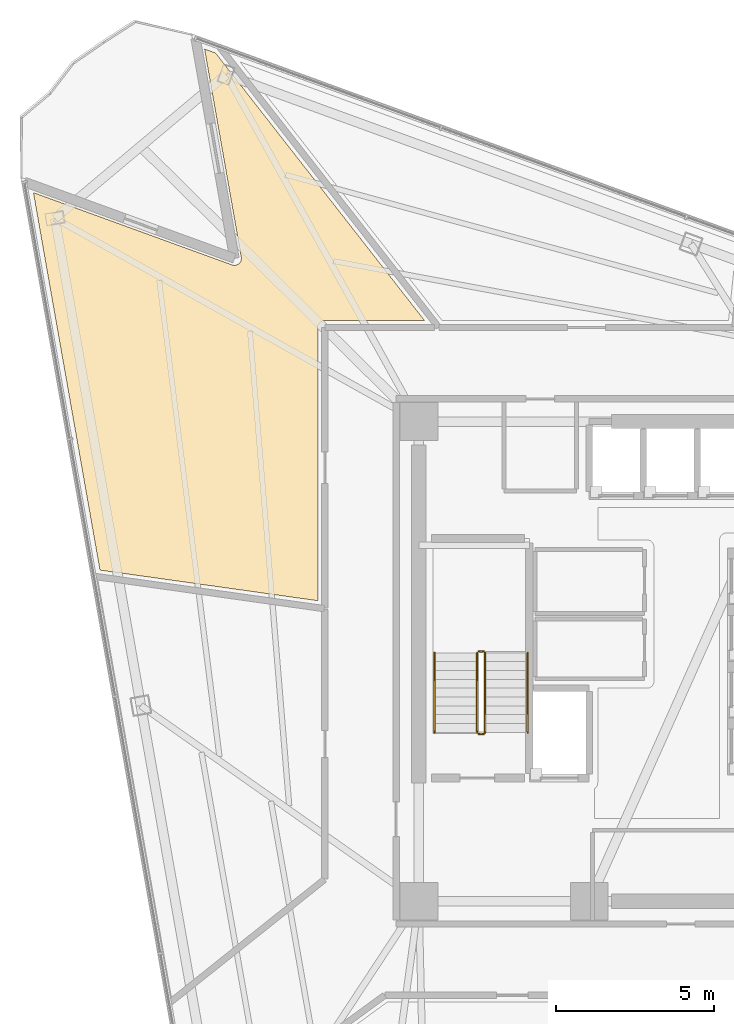
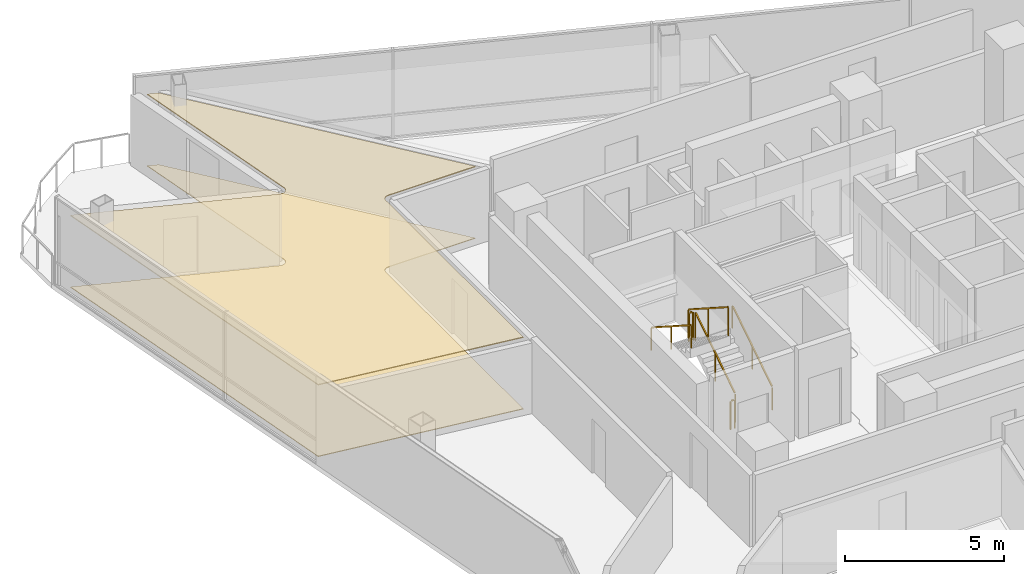
# One storey, part 14 of 16: 6 railings, 2 coverings.
"""IFC4 building model written with IfcOpenShell, lengths in metres."""

from ifc_helpers import new_model, si_unit, direction, frame, origin, origin_2d, place, context, subcontext, project, spatial, polyline, rectangle, outline, extrude, material, layer, layer_set, type_object, element, save


model = new_model("IFC4")

# Units and contexts
model_context = context("Model", 3, precision=1e-05, world=origin(), true_north=direction((0.0, 1.0)))
body_context = subcontext(model_context, "Body", "Model", "MODEL_VIEW")
ifc_project = project(units=[si_unit("LENGTHUNIT", "METRE"), si_unit("AREAUNIT", "SQUARE_METRE"), si_unit("VOLUMEUNIT", "CUBIC_METRE"), si_unit("PLANEANGLEUNIT", "RADIAN"), si_unit("MASSUNIT", "GRAM", prefix="KILO")], contexts=[model_context])

# Site, building, storey
site_placement = place(None, origin())
site = spatial("IfcSite", under=ifc_project, at=site_placement, CompositionType="ELEMENT")
building_placement = place(site_placement, origin())
building = spatial("IfcBuilding", under=site, at=building_placement, Name="Tharavind Bronze Gate", CompositionType="ELEMENT")
storey_placement = place(building_placement, frame((0.0, 0.0, 170.5)))
storey = spatial("IfcBuildingStorey", under=building, at=storey_placement, Name="L43", CompositionType="ELEMENT", Elevation=170.5)

# Coverings
ifc_material_1 = material(Name="Engineered Oak & Carpet Tile", Category="wood")
ifc_layer_1 = layer(ifc_material_1, 0.02490234375)
ifc_layer_set_1 = layer_set([ifc_layer_1], Name="Engineered Oak & Carpet Tile")
covering_type_1 = type_object("IfcCoveringType", Name="ENGINEERED TIMBER FLOORING", PredefinedType="FLOORING", material=ifc_layer_set_1)
covering_1_placement = place(storey_placement, origin())
element("IfcCovering", 1, at=covering_1_placement, inside=storey, type_object=covering_type_1, Name="L43-RM-03 floor finish", PredefinedType="FLOORING", context=body_context, shape_type="SweptSolid", body=[
    extrude(outline(polyline([(-19.004638671875, 2.89306640625), (-12.10009765625, 1.922607421875), (-12.10009765625, 10.579345703125), (-12.099609375, 10.590087890625), (-12.099609375, 10.5908203125), (-12.09765625, 10.6123046875), (-12.093505859375, 10.63330078125), (-12.087158203125, 10.654052734375), (-12.078857421875, 10.674072265625), (-12.068603515625, 10.693115234375), (-12.056640625, 10.7109375), (-12.04296875, 10.727783203125), (-12.027587890625, 10.742919921875), (-12.010986328125, 10.756591796875), (-11.9931640625, 10.768798828125), (-11.97412109375, 10.77880859375), (-11.9541015625, 10.787109375), (-11.933349609375, 10.79345703125), (-11.912353515625, 10.797607421875), (-11.890869140625, 10.7998046875), (-11.89013671875, 10.7998046875), (-11.87939453125, 10.800048828125), (-8.717041015625, 10.800048828125), (-15.341796875, 19.279541015625), (-15.690185546875, 19.40625), (-14.527099609375, 12.8095703125), (-14.525390625, 12.798828125), (-14.525390625, 12.798095703125), (-14.523681640625, 12.7763671875), (-14.5244140625, 12.75439453125), (-14.527099609375, 12.732666015625), (-14.531982421875, 12.711181640625), (-14.538818359375, 12.6904296875), (-14.5478515625, 12.67041015625), (-14.558837890625, 12.651611328125), (-14.571533203125, 12.6337890625), (-14.586181640625, 12.6171875), (-14.602294921875, 12.602294921875), (-14.61962890625, 12.589111328125), (-14.638427734375, 12.57763671875), (-14.658203125, 12.568115234375), (-14.6787109375, 12.560546875), (-14.699951171875, 12.55517578125), (-14.7216796875, 12.552001953125), (-14.74365234375, 12.55078125), (-14.765380859375, 12.552001953125), (-14.787109375, 12.55517578125), (-14.80859375, 12.560546875), (-14.80908203125, 12.560791015625), (-14.8193359375, 12.564208984375), (-21.114013671875, 14.855224609375), (-19.004638671875, 2.89306640625)])), origin(), (0.0, 0.0, 1.0), 0.02490234375),
])
ifc_material_2 = material(Name="Acoustic Gypsum Board", Category="gypsum")
ifc_layer_2 = layer(ifc_material_2, 0.030029296875)
ifc_layer_set_2 = layer_set([ifc_layer_2], Name="Acoustic Gypsum Board")
covering_type_2 = type_object("IfcCoveringType", Name="GYPSUM SUSPENDED CEILING", PredefinedType="CEILING", material=ifc_layer_set_2)
covering_2_placement = place(storey_placement, frame((0.0, 0.0, 2.75)))
element("IfcCovering", 2, at=covering_2_placement, inside=storey, type_object=covering_type_2, Name="L43-RM-03 suspended ceiling", PredefinedType="CEILING", context=body_context, shape_type="SweptSolid", body=[
    extrude(outline(polyline([(-19.004638671875, 2.89306640625), (-12.10009765625, 1.922607421875), (-12.10009765625, 10.579345703125), (-12.099609375, 10.590087890625), (-12.099609375, 10.5908203125), (-12.09765625, 10.6123046875), (-12.093505859375, 10.63330078125), (-12.087158203125, 10.654052734375), (-12.078857421875, 10.674072265625), (-12.068603515625, 10.693115234375), (-12.056640625, 10.7109375), (-12.04296875, 10.727783203125), (-12.027587890625, 10.742919921875), (-12.010986328125, 10.756591796875), (-11.9931640625, 10.768798828125), (-11.97412109375, 10.77880859375), (-11.9541015625, 10.787109375), (-11.933349609375, 10.79345703125), (-11.912353515625, 10.797607421875), (-11.890869140625, 10.7998046875), (-11.89013671875, 10.7998046875), (-11.87939453125, 10.800048828125), (-8.717041015625, 10.800048828125), (-15.341796875, 19.279541015625), (-15.690185546875, 19.40625), (-14.527099609375, 12.8095703125), (-14.525390625, 12.798828125), (-14.525390625, 12.798095703125), (-14.523681640625, 12.7763671875), (-14.5244140625, 12.75439453125), (-14.527099609375, 12.732666015625), (-14.531982421875, 12.711181640625), (-14.538818359375, 12.6904296875), (-14.5478515625, 12.67041015625), (-14.558837890625, 12.651611328125), (-14.571533203125, 12.6337890625), (-14.586181640625, 12.6171875), (-14.602294921875, 12.602294921875), (-14.61962890625, 12.589111328125), (-14.638427734375, 12.57763671875), (-14.658203125, 12.568115234375), (-14.6787109375, 12.560546875), (-14.699951171875, 12.55517578125), (-14.7216796875, 12.552001953125), (-14.74365234375, 12.55078125), (-14.765380859375, 12.552001953125), (-14.787109375, 12.55517578125), (-14.80859375, 12.560546875), (-14.80908203125, 12.560791015625), (-14.8193359375, 12.564208984375), (-21.114013671875, 14.855224609375), (-19.004638671875, 2.89306640625)])), origin(), (0.0, 0.0, 1.0), 0.034912109375),
])

# Railings
ifc_material_3 = material(Name="Brushed Bronze Alloy", Category="metal")
railing_type_1 = type_object("IfcRailingType", Name="STAIR BRONZE HANDRAIL 900", PredefinedType="HANDRAIL", material=ifc_material_3)
railing_1_placement = place(storey_placement, frame((-5.449951171875, -2.25, 0.179931640625)))
element("IfcRailing", 3, at=railing_1_placement, inside=storey, type_object=railing_type_1, Name="L43 ST1 stair handrail 1", PredefinedType="HANDRAIL", context=body_context, shape_type="SweptSolid", body=[
    extrude(rectangle(XDim=0.048095703125, YDim=0.048095703125, at=origin_2d()), frame((0.0, 0.02685546875, 0.89306640625), z_axis=(0.0, 0.841162588446, 0.540782303519), x_axis=(-1.0, 0.0, 0.0)), (0.0, 0.0, 1.0), 2.931884765625),
    extrude(rectangle(XDim=0.0400390625, YDim=0.0400390625, at=origin_2d()), origin(), (0.0, 0.0, 1.0), 0.847900390625),
    extrude(rectangle(XDim=0.0400390625, YDim=0.0400390625, at=origin_2d()), frame((0.0, 1.260009765625, 0.81005859375)), (0.0, 0.0, 1.0), 0.847900390625),
    extrude(rectangle(XDim=0.0400390625, YDim=0.0400390625, at=origin_2d()), frame((0.0, 2.52001953125, 1.6201171875)), (0.0, 0.0, 1.0), 0.847900390625),
])
railing_2_placement = place(storey_placement, frame((-8.39990234375, 0.27001953125, 1.97998046875)))
element("IfcRailing", 4, at=railing_2_placement, inside=storey, type_object=railing_type_1, Name="L43 ST1 stair handrail 2", PredefinedType="HANDRAIL", context=body_context, shape_type="SweptSolid", body=[
    extrude(rectangle(XDim=0.048095703125, YDim=0.048095703125, at=origin_2d()), frame((0.0, -0.02685546875, 0.89306640625), z_axis=(0.0, -0.841162588446, 0.540782303519), x_axis=(1.0, 0.0, 0.0)), (0.0, 0.0, 1.0), 2.931884765625),
    extrude(rectangle(XDim=0.0400390625, YDim=0.0400390625, at=origin_2d()), origin(), (0.0, 0.0, 1.0), 0.847900390625),
    extrude(rectangle(XDim=0.0400390625, YDim=0.0400390625, at=origin_2d()), frame((0.0, -1.260009765625, 0.81005859375)), (0.0, 0.0, 1.0), 0.847900390625),
    extrude(rectangle(XDim=0.0400390625, YDim=0.0400390625, at=origin_2d()), frame((0.0, -2.52001953125, 1.6201171875)), (0.0, 0.0, 1.0), 0.847900390625),
])
railing_type_2 = type_object("IfcRailingType", Name="STAIR WELL GUARD RAILING 1120", PredefinedType="GUARDRAIL", material=ifc_material_3)
railing_3_placement = place(storey_placement, frame((-6.800048828125, -2.25, 0.179931640625)))
element("IfcRailing", 5, at=railing_3_placement, inside=storey, type_object=railing_type_2, Name="L43 ST1 stair guard 1", PredefinedType="GUARDRAIL", context=body_context, shape_type="SweptSolid", body=[
    extrude(rectangle(XDim=0.048095703125, YDim=0.048095703125, at=origin_2d()), frame((0.0, 0.02685546875, 1.11328125), z_axis=(0.0, 0.841162588446, 0.540782303519), x_axis=(-1.0, 0.0, 0.0)), (0.0, 0.0, 1.0), 2.931884765625),
    extrude(rectangle(XDim=0.0400390625, YDim=0.0400390625, at=origin_2d()), origin(), (0.0, 0.0, 1.0), 1.068115234375),
    extrude(rectangle(XDim=0.0400390625, YDim=0.0400390625, at=origin_2d()), frame((0.0, 1.260009765625, 0.81005859375)), (0.0, 0.0, 1.0), 1.068115234375),
    extrude(rectangle(XDim=0.0400390625, YDim=0.0400390625, at=origin_2d()), frame((0.0, 2.52001953125, 1.6201171875)), (0.0, 0.0, 1.0), 1.068115234375),
])
railing_4_placement = place(storey_placement, frame((-6.85009765625, 0.320068359375, 1.800048828125)))
element("IfcRailing", 6, at=railing_4_placement, inside=storey, type_object=railing_type_2, Name="L43 ST1 stair guard 2", PredefinedType="GUARDRAIL", context=body_context, shape_type="SweptSolid", body=[
    extrude(rectangle(XDim=0.048095703125, YDim=0.048095703125, at=origin_2d()), frame((-0.031982421875, 0.0, 1.09619140625), z_axis=(-1.0, 0.0, 0.0), x_axis=(0.0, -1.0, 0.0)), (0.0, 0.0, 1.0), 0.0859375),
    extrude(rectangle(XDim=0.0400390625, YDim=0.0400390625, at=origin_2d()), origin(), (0.0, 0.0, 1.0), 1.068115234375),
    extrude(rectangle(XDim=0.0400390625, YDim=0.0400390625, at=origin_2d()), frame((-0.14990234375, 0.0, 0.0)), (0.0, 0.0, 1.0), 1.068115234375),
])
railing_5_placement = place(storey_placement, frame((-7.050048828125, 0.27001953125, 1.97998046875)))
element("IfcRailing", 7, at=railing_5_placement, inside=storey, type_object=railing_type_2, Name="L43 ST1 stair guard 3", PredefinedType="GUARDRAIL", context=body_context, shape_type="SweptSolid", body=[
    extrude(rectangle(XDim=0.048095703125, YDim=0.048095703125, at=origin_2d()), frame((0.0, -0.02685546875, 1.11328125), z_axis=(0.0, -0.841162588446, 0.540782303519), x_axis=(1.0, 0.0, 0.0)), (0.0, 0.0, 1.0), 2.931884765625),
    extrude(rectangle(XDim=0.0400390625, YDim=0.0400390625, at=origin_2d()), origin(), (0.0, 0.0, 1.0), 1.068115234375),
    extrude(rectangle(XDim=0.0400390625, YDim=0.0400390625, at=origin_2d()), frame((0.0, -1.260009765625, 0.81005859375)), (0.0, 0.0, 1.0), 1.068115234375),
    extrude(rectangle(XDim=0.0400390625, YDim=0.0400390625, at=origin_2d()), frame((0.0, -2.52001953125, 1.6201171875)), (0.0, 0.0, 1.0), 1.068115234375),
])
railing_6_placement = place(storey_placement, frame((-6.85009765625, -2.300048828125, 0.0)))
element("IfcRailing", 8, at=railing_6_placement, inside=storey, type_object=railing_type_2, Name="L43 ST1 stair guard 4", PredefinedType="GUARDRAIL", context=body_context, shape_type="SweptSolid", body=[
    extrude(rectangle(XDim=0.048095703125, YDim=0.048095703125, at=origin_2d()), frame((-0.031982421875, 0.0, 1.09619140625), z_axis=(-1.0, 0.0, 0.0), x_axis=(0.0, -1.0, 0.0)), (0.0, 0.0, 1.0), 0.0859375),
    extrude(rectangle(XDim=0.0400390625, YDim=0.0400390625, at=origin_2d()), origin(), (0.0, 0.0, 1.0), 1.068115234375),
    extrude(rectangle(XDim=0.0400390625, YDim=0.0400390625, at=origin_2d()), frame((-0.14990234375, 0.0, 0.0)), (0.0, 0.0, 1.0), 1.068115234375),
])

save(model, "model.ifc")
